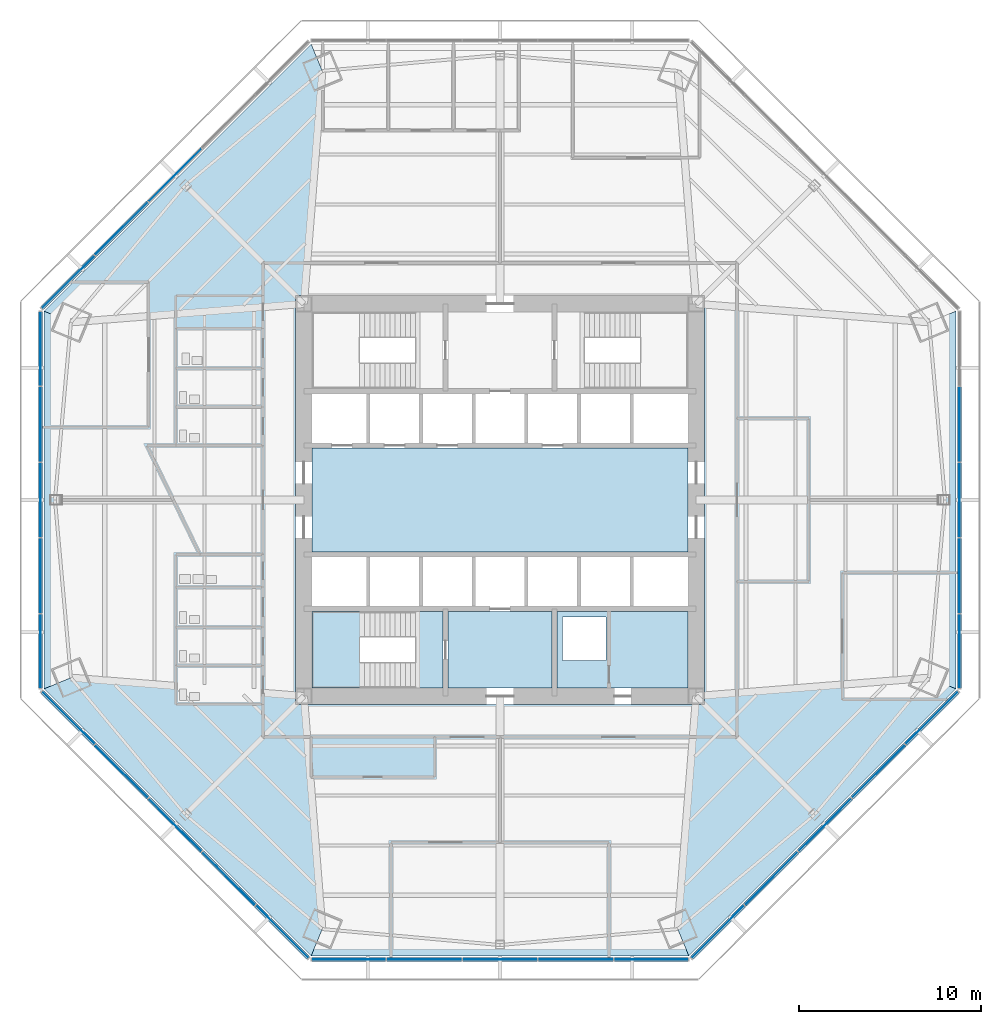
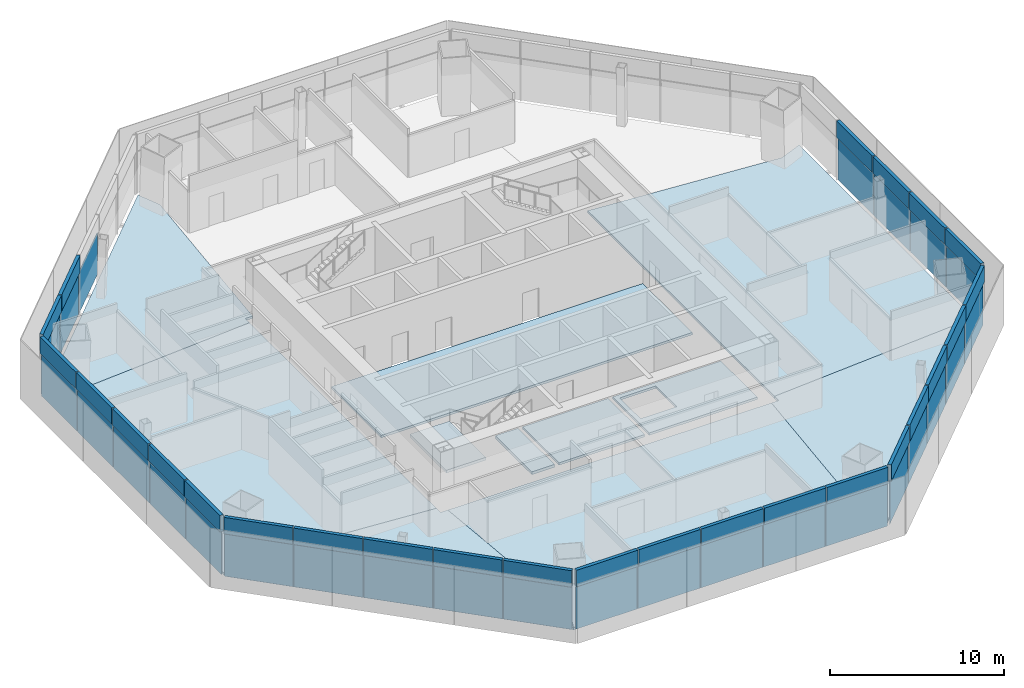
# One storey, part 8 of 16: 53 plates, 11 slabs, 7 elements without a shape of their own.
"""IFC4 building model written with IfcOpenShell, lengths in metres."""

from ifc_helpers import new_model, si_unit, direction, frame, origin, origin_2d, place, context, subcontext, project, spatial, polyline, rectangle, outline, extrude, source, transform, mapped, material, layer, layer_set, type_object, type_shapes, element, aggregate, save


model = new_model("IFC4")

# Units and contexts
model_context = context("Model", 3, precision=1e-05, world=origin(), true_north=direction((0.0, 1.0)))
body_context = subcontext(model_context, "Body", "Model", "MODEL_VIEW")
ifc_project = project(units=[si_unit("LENGTHUNIT", "METRE"), si_unit("AREAUNIT", "SQUARE_METRE"), si_unit("VOLUMEUNIT", "CUBIC_METRE"), si_unit("PLANEANGLEUNIT", "RADIAN"), si_unit("MASSUNIT", "GRAM", prefix="KILO")], contexts=[model_context])

# Site, building, storey
site_placement = place(None, origin())
site = spatial("IfcSite", under=ifc_project, at=site_placement, CompositionType="ELEMENT")
building_placement = place(site_placement, origin())
building = spatial("IfcBuilding", under=site, at=building_placement, Name="Mashrafa Tower", CompositionType="ELEMENT")
storey_placement = place(building_placement, frame((0.0, 0.0, 96.0)))
storey = spatial("IfcBuildingStorey", under=building, at=storey_placement, Name="L21", CompositionType="ELEMENT", Elevation=96.0)

# Slabs
ifc_material_1 = material(Name="Concrete C35/45", Category="concrete")
ifc_layer_1 = layer(ifc_material_1, 0.1650390625)
ifc_layer_set_1 = layer_set([ifc_layer_1], Name="Floor slab 165")
slab_type_1 = type_object("IfcSlabType", Name="Floor slab 165", PredefinedType="FLOOR", material=ifc_layer_set_1)
slab_1_placement = place(storey_placement, frame((0.0, 0.0, -0.1650390625)))
element("IfcSlab", 1, at=slab_1_placement, inside=storey, type_object=slab_type_1, Name="Floor slab L21 east bay", PredefinedType="FLOOR", context=body_context, shape_type="SweptSolid", body=[
    extrude(outline(polyline([(25.09912109375, -10.396240234375), (23.62548828125, -9.785888671875), (11.25, -10.764404296875), (11.25, 10.764404296875), (23.62548828125, 9.785888671875), (25.09912109375, 10.396240234375), (25.09912109375, -10.396240234375)])), origin(), (0.0, 0.0, 1.0), 0.1650390625),
])
slab_2_placement = place(storey_placement, frame((0.0, 0.0, -0.1650390625)))
element("IfcSlab", 2, at=slab_2_placement, inside=storey, type_object=slab_type_1, Name="Floor slab L21 north-west bay", PredefinedType="FLOOR", context=body_context, shape_type="SweptSolid", body=[
    extrude(outline(polyline([(-25.09912109375, 10.396240234375), (-10.396240234375, 25.09912109375), (-10.396240234375, 25.09912109375), (-9.785888671875, 23.62548828125), (-10.764404296875, 11.25), (-11.25, 11.25), (-11.25, 10.764404296875), (-23.62548828125, 9.785888671875), (-25.09912109375, 10.396240234375), (-25.09912109375, 10.396240234375)])), origin(), (0.0, 0.0, 1.0), 0.1650390625),
])
slab_3_placement = place(storey_placement, frame((0.0, 0.0, -0.1650390625)))
element("IfcSlab", 3, at=slab_3_placement, inside=storey, type_object=slab_type_1, Name="Floor slab L21 west bay", PredefinedType="FLOOR", context=body_context, shape_type="SweptSolid", body=[
    extrude(outline(polyline([(-25.09912109375, 10.396240234375), (-23.62548828125, 9.785888671875), (-11.25, 10.764404296875), (-11.25, -10.764404296875), (-23.62548828125, -9.785888671875), (-25.09912109375, -10.396240234375), (-25.09912109375, 10.396240234375)])), origin(), (0.0, 0.0, 1.0), 0.1650390625),
])
slab_4_placement = place(storey_placement, frame((0.0, 0.0, -0.1650390625)))
element("IfcSlab", 4, at=slab_4_placement, inside=storey, type_object=slab_type_1, Name="Floor slab L21 south-west bay", PredefinedType="FLOOR", context=body_context, shape_type="SweptSolid", body=[
    extrude(outline(polyline([(-10.396240234375, -25.09912109375), (-25.09912109375, -10.396240234375), (-25.09912109375, -10.396240234375), (-23.62548828125, -9.785888671875), (-11.25, -10.764404296875), (-11.25, -11.25), (-10.764404296875, -11.25), (-9.785888671875, -23.62548828125), (-10.396240234375, -25.09912109375), (-10.396240234375, -25.09912109375)])), origin(), (0.0, 0.0, 1.0), 0.1650390625),
])
slab_5_placement = place(storey_placement, frame((0.0, 0.0, -0.1650390625)))
element("IfcSlab", 5, at=slab_5_placement, inside=storey, type_object=slab_type_1, Name="Floor slab L21 south bay", PredefinedType="FLOOR", context=body_context, shape_type="SweptSolid", body=[
    extrude(outline(polyline([(-10.396240234375, -25.09912109375), (-9.785888671875, -23.62548828125), (-10.764404296875, -11.25), (10.764404296875, -11.25), (9.785888671875, -23.62548828125), (10.396240234375, -25.09912109375), (-10.396240234375, -25.09912109375)])), origin(), (0.0, 0.0, 1.0), 0.1650390625),
])
slab_6_placement = place(storey_placement, frame((0.0, 0.0, -0.1650390625)))
element("IfcSlab", 6, at=slab_6_placement, inside=storey, type_object=slab_type_1, Name="Floor slab L21 south-east bay", PredefinedType="FLOOR", context=body_context, shape_type="SweptSolid", body=[
    extrude(outline(polyline([(10.396240234375, -25.09912109375), (9.785888671875, -23.62548828125), (10.764404296875, -11.25), (11.25, -11.25), (11.25, -10.764404296875), (23.62548828125, -9.785888671875), (25.09912109375, -10.396240234375), (25.09912109375, -10.396240234375), (10.396240234375, -25.09912109375), (10.396240234375, -25.09912109375)])), origin(), (0.0, 0.0, 1.0), 0.1650390625),
])
slab_7_placement = place(storey_placement, frame((0.0, 0.0, -0.1650390625)))
element("IfcSlab", 7, at=slab_7_placement, inside=storey, type_object=slab_type_1, Name="Core floor lift hall L21", PredefinedType="FLOOR", context=body_context, shape_type="SweptSolid", body=[
    extrude(outline(polyline([(-10.35009765625, 2.85009765625), (10.35009765625, 2.85009765625), (10.35009765625, -2.85009765625), (-10.35009765625, -2.85009765625), (-10.35009765625, 2.85009765625)])), origin(), (0.0, 0.0, 1.0), 0.1650390625),
])
slab_8_placement = place(storey_placement, frame((0.0, 0.0, -0.1650390625)))
element("IfcSlab", 8, at=slab_8_placement, inside=storey, type_object=slab_type_1, Name="Core floor riser and electrical band L21", PredefinedType="FLOOR", context=body_context, shape_type="SweptSolid", body=[
    extrude(outline(polyline([(10.35009765625, -6.14990234375), (10.35009765625, -10.35009765625), (3.14990234375, -10.35009765625), (3.14990234375, -6.14990234375), (10.35009765625, -6.14990234375)]), holes=[polyline([(3.449951171875, -8.85009765625), (5.85009765625, -8.85009765625), (5.85009765625, -6.449951171875), (3.449951171875, -6.449951171875), (3.449951171875, -8.85009765625)])]), origin(), (0.0, 0.0, 1.0), 0.1650390625),
])
slab_9_placement = place(storey_placement, frame((0.0, 0.0, -0.1650390625)))
element("IfcSlab", 9, at=slab_9_placement, inside=storey, type_object=slab_type_1, Name="Core floor fire-fighting lobby south L21", PredefinedType="FLOOR", context=body_context, shape_type="SweptSolid", body=[
    extrude(outline(polyline([(2.85009765625, -6.14990234375), (2.85009765625, -10.35009765625), (-2.85009765625, -10.35009765625), (-2.85009765625, -6.14990234375), (2.85009765625, -6.14990234375)])), origin(), (0.0, 0.0, 1.0), 0.1650390625),
])

# Stair, slabs
ifc_material_2 = material(Name="Exit stair 1400")
stair_type = type_object("IfcStairType", Name="Exit stair 1400", PredefinedType="HALF_TURN_STAIR", material=ifc_material_2)
stair_placement = place(storey_placement, origin())
stair = element("IfcStair", 10, at=stair_placement, inside=storey, type_object=stair_type, Name="Stair S3 L21", PredefinedType="HALF_TURN_STAIR")
ifc_material_3 = material(Name="Concrete C32/40", Category="concrete")
ifc_layer_2 = layer(ifc_material_3, 0.199951171875)
ifc_layer_set_2 = layer_set([ifc_layer_2], Name="Stair landing 200")
slab_type_2 = type_object("IfcSlabType", Name="Stair landing 200", PredefinedType="LANDING", material=ifc_layer_set_2)
slab_10_placement = place(storey_placement, frame((0.0, 0.0, -0.199951171875)))
slab_10 = element("IfcSlab", 11, at=slab_10_placement, type_object=slab_type_2, Name="S3 landing 1", PredefinedType="LANDING", context=body_context, shape_type="SweptSolid", body=[
    extrude(outline(polyline([(-4.659912109375, -10.35009765625), (-3.14990234375, -10.35009765625), (-3.14990234375, -6.14990234375), (-4.659912109375, -6.14990234375), (-4.659912109375, -10.35009765625)])), origin(), (0.0, 0.0, 1.0), 0.199951171875),
])
slab_11_placement = place(storey_placement, frame((0.0, 0.0, 1.89990234375)))
slab_11 = element("IfcSlab", 12, at=slab_11_placement, type_object=slab_type_2, Name="S3 landing 2", PredefinedType="LANDING", context=body_context, shape_type="SweptSolid", body=[
    extrude(outline(polyline([(-10.35009765625, -10.35009765625), (-7.719970703125, -10.35009765625), (-7.719970703125, -6.14990234375), (-10.35009765625, -6.14990234375), (-10.35009765625, -10.35009765625)])), origin(), (0.0, 0.0, 1.0), 0.2001953125),
])
aggregate(stair, [slab_10, slab_11])

# Curtain wall, plate
ifc_material_4 = material(Name="Unitised aluminium curtain wall", Category="aluminium")
curtain_wall_type = type_object("IfcCurtainWallType", Name="Office curtain wall, zone 1 CW-A 200 deep", PredefinedType="NOTDEFINED", material=ifc_material_4)
curtain_wall_1_placement = place(storey_placement, origin())
curtain_wall_1 = element("IfcCurtainWall", 13, at=curtain_wall_1_placement, inside=storey, type_object=curtain_wall_type, Name="Office curtain wall, zone 1 L21 east", PredefinedType="NOTDEFINED")
ifc_material_5 = material(Name="Insulated double glazing, low-e, neutral", Category="glass")
ifc_layer_3 = layer(ifc_material_5, 0.028076171875)
ifc_layer_set_3 = layer_set([ifc_layer_3], Name="Vision panel CW-A 28")
plate_type_1 = type_object("IfcPlateType", Name="Vision panel CW-A 28", PredefinedType="CURTAIN_PANEL", material=ifc_layer_set_3)
shared_shape_1 = source(origin(), body_context, "Body", "SweptSolid", [
    extrude(rectangle(XDim=4.07373046875, YDim=0.028076171875, at=origin_2d()), origin(), (0.0, 0.0, 1.0), 2.9599609375),
])
plate_1_placement = place(storey_placement, frame((25.299072265625, -8.325927734375, 0.0), z_axis=(0.0, 0.0, 1.0), x_axis=(0.0, 1.0, 0.0)))
plate_1 = element("IfcPlate", 14, at=plate_1_placement, type_object=plate_type_1, Name="CW-A vision panel 1", PredefinedType="CURTAIN_PANEL", context=body_context, shape_type="MappedRepresentation", body=[
    mapped(shared_shape_1, transform((0.0, 0.0, 0.0))),
])

curtain_wall_2_placement = place(storey_placement, origin())
curtain_wall_2 = element("IfcCurtainWall", 15, at=curtain_wall_2_placement, inside=storey, type_object=curtain_wall_type, Name="Office curtain wall, zone 1 L21 north-west", PredefinedType="NOTDEFINED")
plate_2_placement = place(storey_placement, frame((-23.7763671875, 12.001708984375, 0.0), z_axis=(0.0, 0.0, 1.0), x_axis=(-0.707106781187, -0.707106781187, 0.0)))
plate_2 = element("IfcPlate", 16, at=plate_2_placement, type_object=plate_type_1, Name="CW-A vision panel 5", PredefinedType="CURTAIN_PANEL", context=body_context, shape_type="MappedRepresentation", body=[
    mapped(shared_shape_1, transform((0.0, 0.0, 0.0))),
])

# Curtain wall, plates
curtain_wall_3_placement = place(storey_placement, origin())
curtain_wall_3 = element("IfcCurtainWall", 17, at=curtain_wall_3_placement, inside=storey, type_object=curtain_wall_type, Name="Office curtain wall, zone 1 L21 west", PredefinedType="NOTDEFINED")
plate_3_placement = place(storey_placement, frame((-25.299072265625, 8.325927734375, 0.0), z_axis=(0.0, 0.0, 1.0), x_axis=(0.0, -1.0, 0.0)))
plate_3 = element("IfcPlate", 18, at=plate_3_placement, type_object=plate_type_1, Name="CW-A vision panel 1", PredefinedType="CURTAIN_PANEL", context=body_context, shape_type="MappedRepresentation", body=[
    mapped(shared_shape_1, transform((0.0, 0.0, 0.0))),
])
plate_4_placement = place(storey_placement, frame((-25.299072265625, -8.325927734375, 0.0), z_axis=(0.0, 0.0, 1.0), x_axis=(0.0, -1.0, 0.0)))
plate_4 = element("IfcPlate", 19, at=plate_4_placement, type_object=plate_type_1, Name="CW-A vision panel 5", PredefinedType="CURTAIN_PANEL", context=body_context, shape_type="MappedRepresentation", body=[
    mapped(shared_shape_1, transform((0.0, 0.0, 0.0))),
])

curtain_wall_4_placement = place(storey_placement, origin())
curtain_wall_4 = element("IfcCurtainWall", 20, at=curtain_wall_4_placement, inside=storey, type_object=curtain_wall_type, Name="Office curtain wall, zone 1 L21 south-west", PredefinedType="NOTDEFINED")
plate_5_placement = place(storey_placement, frame((-23.7763671875, -12.001708984375, 0.0), z_axis=(0.0, 0.0, 1.0), x_axis=(0.707106781187, -0.707106781187, 0.0)))
plate_5 = element("IfcPlate", 21, at=plate_5_placement, type_object=plate_type_1, Name="CW-A vision panel 1", PredefinedType="CURTAIN_PANEL", context=body_context, shape_type="MappedRepresentation", body=[
    mapped(shared_shape_1, transform((0.0, 0.0, 0.0))),
])
plate_6_placement = place(storey_placement, frame((-12.001708984375, -23.7763671875, 0.0), z_axis=(0.0, 0.0, 1.0), x_axis=(0.707106781187, -0.707106781187, 0.0)))
plate_6 = element("IfcPlate", 22, at=plate_6_placement, type_object=plate_type_1, Name="CW-A vision panel 5", PredefinedType="CURTAIN_PANEL", context=body_context, shape_type="MappedRepresentation", body=[
    mapped(shared_shape_1, transform((0.0, 0.0, 0.0))),
])

curtain_wall_5_placement = place(storey_placement, origin())
curtain_wall_5 = element("IfcCurtainWall", 23, at=curtain_wall_5_placement, inside=storey, type_object=curtain_wall_type, Name="Office curtain wall, zone 1 L21 south", PredefinedType="NOTDEFINED")
plate_7_placement = place(storey_placement, frame((-8.325927734375, -25.299072265625, 0.0), z_axis=(0.0, 0.0, 1.0), x_axis=(1.0, 0.0, 0.0)))
plate_7 = element("IfcPlate", 24, at=plate_7_placement, type_object=plate_type_1, Name="CW-A vision panel 1", PredefinedType="CURTAIN_PANEL", context=body_context, shape_type="MappedRepresentation", body=[
    mapped(shared_shape_1, transform((0.0, 0.0, 0.0))),
])
plate_8_placement = place(storey_placement, frame((8.325927734375, -25.299072265625, 0.0), z_axis=(0.0, 0.0, 1.0), x_axis=(1.0, 0.0, 0.0)))
plate_8 = element("IfcPlate", 25, at=plate_8_placement, type_object=plate_type_1, Name="CW-A vision panel 5", PredefinedType="CURTAIN_PANEL", context=body_context, shape_type="MappedRepresentation", body=[
    mapped(shared_shape_1, transform((0.0, 0.0, 0.0))),
])

curtain_wall_6_placement = place(storey_placement, origin())
curtain_wall_6 = element("IfcCurtainWall", 26, at=curtain_wall_6_placement, inside=storey, type_object=curtain_wall_type, Name="Office curtain wall, zone 1 L21 south-east", PredefinedType="NOTDEFINED")
plate_9_placement = place(storey_placement, frame((12.001708984375, -23.7763671875, 0.0), z_axis=(0.0, 0.0, 1.0), x_axis=(0.707106781187, 0.707106781187, 0.0)))
plate_9 = element("IfcPlate", 27, at=plate_9_placement, type_object=plate_type_1, Name="CW-A vision panel 1", PredefinedType="CURTAIN_PANEL", context=body_context, shape_type="MappedRepresentation", body=[
    mapped(shared_shape_1, transform((0.0, 0.0, 0.0))),
])
plate_10_placement = place(storey_placement, frame((23.7763671875, -12.001708984375, 0.0), z_axis=(0.0, 0.0, 1.0), x_axis=(0.707106781187, 0.707106781187, 0.0)))
plate_10 = element("IfcPlate", 28, at=plate_10_placement, type_object=plate_type_1, Name="CW-A vision panel 5", PredefinedType="CURTAIN_PANEL", context=body_context, shape_type="MappedRepresentation", body=[
    mapped(shared_shape_1, transform((0.0, 0.0, 0.0))),
])

# Plate
ifc_material_6 = material(Name="Insulated aluminium spandrel panel", Category="aluminium")
ifc_layer_4 = layer(ifc_material_6, 0.219970703125)
ifc_layer_set_4 = layer_set([ifc_layer_4], Name="Spandrel panel CW-A 220")
plate_type_2 = type_object("IfcPlateType", Name="Spandrel panel CW-A 220", PredefinedType="CURTAIN_PANEL", material=ifc_layer_set_4)
shared_shape_2 = source(origin(), body_context, "Body", "SweptSolid", [
    extrude(rectangle(XDim=4.07373046875, YDim=0.219970703125, at=origin_2d()), origin(), (0.0, 0.0, 1.0), 1.159912109375),
])
plate_11_placement = place(storey_placement, frame((25.299072265625, -8.325927734375, 3.0400390625), z_axis=(0.0, 0.0, 1.0), x_axis=(0.0, 1.0, 0.0)))
plate_11 = element("IfcPlate", 29, at=plate_11_placement, type_object=plate_type_2, Name="CW-A spandrel panel 1", PredefinedType="CURTAIN_PANEL", context=body_context, shape_type="MappedRepresentation", body=[
    mapped(shared_shape_2, transform((0.0, 0.0, 0.0))),
])

plate_12_placement = place(storey_placement, frame((-23.7763671875, 12.001708984375, 3.0400390625), z_axis=(0.0, 0.0, 1.0), x_axis=(-0.707106781187, -0.707106781187, 0.0)))
plate_12 = element("IfcPlate", 30, at=plate_12_placement, type_object=plate_type_2, Name="CW-A spandrel panel 5", PredefinedType="CURTAIN_PANEL", context=body_context, shape_type="MappedRepresentation", body=[
    mapped(shared_shape_2, transform((0.0, 0.0, 0.0))),
])

plate_13_placement = place(storey_placement, frame((-25.299072265625, 8.325927734375, 3.0400390625), z_axis=(0.0, 0.0, 1.0), x_axis=(0.0, -1.0, 0.0)))
plate_13 = element("IfcPlate", 31, at=plate_13_placement, type_object=plate_type_2, Name="CW-A spandrel panel 1", PredefinedType="CURTAIN_PANEL", context=body_context, shape_type="MappedRepresentation", body=[
    mapped(shared_shape_2, transform((0.0, 0.0, 0.0))),
])

plate_14_placement = place(storey_placement, frame((-25.299072265625, -8.325927734375, 3.0400390625), z_axis=(0.0, 0.0, 1.0), x_axis=(0.0, -1.0, 0.0)))
plate_14 = element("IfcPlate", 32, at=plate_14_placement, type_object=plate_type_2, Name="CW-A spandrel panel 5", PredefinedType="CURTAIN_PANEL", context=body_context, shape_type="MappedRepresentation", body=[
    mapped(shared_shape_2, transform((0.0, 0.0, 0.0))),
])

plate_15_placement = place(storey_placement, frame((-23.7763671875, -12.001708984375, 3.0400390625), z_axis=(0.0, 0.0, 1.0), x_axis=(0.707106781187, -0.707106781187, 0.0)))
plate_15 = element("IfcPlate", 33, at=plate_15_placement, type_object=plate_type_2, Name="CW-A spandrel panel 1", PredefinedType="CURTAIN_PANEL", context=body_context, shape_type="MappedRepresentation", body=[
    mapped(shared_shape_2, transform((0.0, 0.0, 0.0))),
])

plate_16_placement = place(storey_placement, frame((-12.001708984375, -23.7763671875, 3.0400390625), z_axis=(0.0, 0.0, 1.0), x_axis=(0.707106781187, -0.707106781187, 0.0)))
plate_16 = element("IfcPlate", 34, at=plate_16_placement, type_object=plate_type_2, Name="CW-A spandrel panel 5", PredefinedType="CURTAIN_PANEL", context=body_context, shape_type="MappedRepresentation", body=[
    mapped(shared_shape_2, transform((0.0, 0.0, 0.0))),
])

plate_17_placement = place(storey_placement, frame((-8.325927734375, -25.299072265625, 3.0400390625), z_axis=(0.0, 0.0, 1.0), x_axis=(1.0, 0.0, 0.0)))
plate_17 = element("IfcPlate", 35, at=plate_17_placement, type_object=plate_type_2, Name="CW-A spandrel panel 1", PredefinedType="CURTAIN_PANEL", context=body_context, shape_type="MappedRepresentation", body=[
    mapped(shared_shape_2, transform((0.0, 0.0, 0.0))),
])

plate_18_placement = place(storey_placement, frame((8.325927734375, -25.299072265625, 3.0400390625), z_axis=(0.0, 0.0, 1.0), x_axis=(1.0, 0.0, 0.0)))
plate_18 = element("IfcPlate", 36, at=plate_18_placement, type_object=plate_type_2, Name="CW-A spandrel panel 5", PredefinedType="CURTAIN_PANEL", context=body_context, shape_type="MappedRepresentation", body=[
    mapped(shared_shape_2, transform((0.0, 0.0, 0.0))),
])

plate_19_placement = place(storey_placement, frame((12.001708984375, -23.7763671875, 3.0400390625), z_axis=(0.0, 0.0, 1.0), x_axis=(0.707106781187, 0.707106781187, 0.0)))
plate_19 = element("IfcPlate", 37, at=plate_19_placement, type_object=plate_type_2, Name="CW-A spandrel panel 1", PredefinedType="CURTAIN_PANEL", context=body_context, shape_type="MappedRepresentation", body=[
    mapped(shared_shape_2, transform((0.0, 0.0, 0.0))),
])

plate_20_placement = place(storey_placement, frame((23.7763671875, -12.001708984375, 3.0400390625), z_axis=(0.0, 0.0, 1.0), x_axis=(0.707106781187, 0.707106781187, 0.0)))
plate_20 = element("IfcPlate", 38, at=plate_20_placement, type_object=plate_type_2, Name="CW-A spandrel panel 5", PredefinedType="CURTAIN_PANEL", context=body_context, shape_type="MappedRepresentation", body=[
    mapped(shared_shape_2, transform((0.0, 0.0, 0.0))),
])

shared_shape_3 = source(origin(), body_context, "Body", "SweptSolid", [
    extrude(rectangle(XDim=4.106201171875, YDim=0.028076171875, at=origin_2d()), origin(), (0.0, 0.0, 1.0), 2.9599609375),
])
type_shapes(plate_type_1, [shared_shape_1, shared_shape_3])
plate_21_placement = place(storey_placement, frame((25.299072265625, -4.171142578125, 0.0), z_axis=(0.0, 0.0, 1.0), x_axis=(0.0, 1.0, 0.0)))
plate_21 = element("IfcPlate", 39, at=plate_21_placement, type_object=plate_type_1, Name="CW-A vision panel 2", PredefinedType="CURTAIN_PANEL", context=body_context, shape_type="MappedRepresentation", body=[
    mapped(shared_shape_3, transform((0.0, 0.0, 0.0))),
])

plate_22_placement = place(storey_placement, frame((25.299072265625, 0.0, 0.0), z_axis=(0.0, 0.0, 1.0), x_axis=(0.0, 1.0, 0.0)))
plate_22 = element("IfcPlate", 40, at=plate_22_placement, type_object=plate_type_1, Name="CW-A vision panel 3", PredefinedType="CURTAIN_PANEL", context=body_context, shape_type="MappedRepresentation", body=[
    mapped(shared_shape_3, transform((0.0, 0.0, 0.0))),
])

plate_23_placement = place(storey_placement, frame((25.299072265625, 4.171142578125, 0.0), z_axis=(0.0, 0.0, 1.0), x_axis=(0.0, 1.0, 0.0)))
plate_23 = element("IfcPlate", 41, at=plate_23_placement, type_object=plate_type_1, Name="CW-A vision panel 4", PredefinedType="CURTAIN_PANEL", context=body_context, shape_type="MappedRepresentation", body=[
    mapped(shared_shape_3, transform((0.0, 0.0, 0.0))),
])

plate_24_placement = place(storey_placement, frame((-17.88916015625, 17.88916015625, 0.0), z_axis=(0.0, 0.0, 1.0), x_axis=(-0.707106781187, -0.707106781187, 0.0)))
plate_24 = element("IfcPlate", 42, at=plate_24_placement, type_object=plate_type_1, Name="CW-A vision panel 3", PredefinedType="CURTAIN_PANEL", context=body_context, shape_type="MappedRepresentation", body=[
    mapped(shared_shape_3, transform((0.0, 0.0, 0.0))),
])

plate_25_placement = place(storey_placement, frame((-20.838623046875, 14.939697265625, 0.0), z_axis=(0.0, 0.0, 1.0), x_axis=(-0.707106781187, -0.707106781187, 0.0)))
plate_25 = element("IfcPlate", 43, at=plate_25_placement, type_object=plate_type_1, Name="CW-A vision panel 4", PredefinedType="CURTAIN_PANEL", context=body_context, shape_type="MappedRepresentation", body=[
    mapped(shared_shape_3, transform((0.0, 0.0, 0.0))),
])

plate_26_placement = place(storey_placement, frame((-25.299072265625, 4.171142578125, 0.0), z_axis=(0.0, 0.0, 1.0), x_axis=(0.0, -1.0, 0.0)))
plate_26 = element("IfcPlate", 44, at=plate_26_placement, type_object=plate_type_1, Name="CW-A vision panel 2", PredefinedType="CURTAIN_PANEL", context=body_context, shape_type="MappedRepresentation", body=[
    mapped(shared_shape_3, transform((0.0, 0.0, 0.0))),
])

plate_27_placement = place(storey_placement, frame((-25.299072265625, 0.0, 0.0), z_axis=(0.0, 0.0, 1.0), x_axis=(0.0, -1.0, 0.0)))
plate_27 = element("IfcPlate", 45, at=plate_27_placement, type_object=plate_type_1, Name="CW-A vision panel 3", PredefinedType="CURTAIN_PANEL", context=body_context, shape_type="MappedRepresentation", body=[
    mapped(shared_shape_3, transform((0.0, 0.0, 0.0))),
])

plate_28_placement = place(storey_placement, frame((-25.299072265625, -4.171142578125, 0.0), z_axis=(0.0, 0.0, 1.0), x_axis=(0.0, -1.0, 0.0)))
plate_28 = element("IfcPlate", 46, at=plate_28_placement, type_object=plate_type_1, Name="CW-A vision panel 4", PredefinedType="CURTAIN_PANEL", context=body_context, shape_type="MappedRepresentation", body=[
    mapped(shared_shape_3, transform((0.0, 0.0, 0.0))),
])

plate_29_placement = place(storey_placement, frame((-20.838623046875, -14.939697265625, 0.0), z_axis=(0.0, 0.0, 1.0), x_axis=(0.707106781187, -0.707106781187, 0.0)))
plate_29 = element("IfcPlate", 47, at=plate_29_placement, type_object=plate_type_1, Name="CW-A vision panel 2", PredefinedType="CURTAIN_PANEL", context=body_context, shape_type="MappedRepresentation", body=[
    mapped(shared_shape_3, transform((0.0, 0.0, 0.0))),
])

plate_30_placement = place(storey_placement, frame((-17.88916015625, -17.88916015625, 0.0), z_axis=(0.0, 0.0, 1.0), x_axis=(0.707106781187, -0.707106781187, 0.0)))
plate_30 = element("IfcPlate", 48, at=plate_30_placement, type_object=plate_type_1, Name="CW-A vision panel 3", PredefinedType="CURTAIN_PANEL", context=body_context, shape_type="MappedRepresentation", body=[
    mapped(shared_shape_3, transform((0.0, 0.0, 0.0))),
])

plate_31_placement = place(storey_placement, frame((-14.939697265625, -20.838623046875, 0.0), z_axis=(0.0, 0.0, 1.0), x_axis=(0.707106781187, -0.707106781187, 0.0)))
plate_31 = element("IfcPlate", 49, at=plate_31_placement, type_object=plate_type_1, Name="CW-A vision panel 4", PredefinedType="CURTAIN_PANEL", context=body_context, shape_type="MappedRepresentation", body=[
    mapped(shared_shape_3, transform((0.0, 0.0, 0.0))),
])

plate_32_placement = place(storey_placement, frame((-4.171142578125, -25.299072265625, 0.0), z_axis=(0.0, 0.0, 1.0), x_axis=(1.0, 0.0, 0.0)))
plate_32 = element("IfcPlate", 50, at=plate_32_placement, type_object=plate_type_1, Name="CW-A vision panel 2", PredefinedType="CURTAIN_PANEL", context=body_context, shape_type="MappedRepresentation", body=[
    mapped(shared_shape_3, transform((0.0, 0.0, 0.0))),
])

plate_33_placement = place(storey_placement, frame((0.0, -25.299072265625, 0.0), z_axis=(0.0, 0.0, 1.0), x_axis=(1.0, 0.0, 0.0)))
plate_33 = element("IfcPlate", 51, at=plate_33_placement, type_object=plate_type_1, Name="CW-A vision panel 3", PredefinedType="CURTAIN_PANEL", context=body_context, shape_type="MappedRepresentation", body=[
    mapped(shared_shape_3, transform((0.0, 0.0, 0.0))),
])

plate_34_placement = place(storey_placement, frame((4.171142578125, -25.299072265625, 0.0), z_axis=(0.0, 0.0, 1.0), x_axis=(1.0, 0.0, 0.0)))
plate_34 = element("IfcPlate", 52, at=plate_34_placement, type_object=plate_type_1, Name="CW-A vision panel 4", PredefinedType="CURTAIN_PANEL", context=body_context, shape_type="MappedRepresentation", body=[
    mapped(shared_shape_3, transform((0.0, 0.0, 0.0))),
])

plate_35_placement = place(storey_placement, frame((14.939697265625, -20.838623046875, 0.0), z_axis=(0.0, 0.0, 1.0), x_axis=(0.707106781187, 0.707106781187, 0.0)))
plate_35 = element("IfcPlate", 53, at=plate_35_placement, type_object=plate_type_1, Name="CW-A vision panel 2", PredefinedType="CURTAIN_PANEL", context=body_context, shape_type="MappedRepresentation", body=[
    mapped(shared_shape_3, transform((0.0, 0.0, 0.0))),
])

plate_36_placement = place(storey_placement, frame((17.88916015625, -17.88916015625, 0.0), z_axis=(0.0, 0.0, 1.0), x_axis=(0.707106781187, 0.707106781187, 0.0)))
plate_36 = element("IfcPlate", 54, at=plate_36_placement, type_object=plate_type_1, Name="CW-A vision panel 3", PredefinedType="CURTAIN_PANEL", context=body_context, shape_type="MappedRepresentation", body=[
    mapped(shared_shape_3, transform((0.0, 0.0, 0.0))),
])

plate_37_placement = place(storey_placement, frame((20.838623046875, -14.939697265625, 0.0), z_axis=(0.0, 0.0, 1.0), x_axis=(0.707106781187, 0.707106781187, 0.0)))
plate_37 = element("IfcPlate", 55, at=plate_37_placement, type_object=plate_type_1, Name="CW-A vision panel 4", PredefinedType="CURTAIN_PANEL", context=body_context, shape_type="MappedRepresentation", body=[
    mapped(shared_shape_3, transform((0.0, 0.0, 0.0))),
])

shared_shape_4 = source(origin(), body_context, "Body", "SweptSolid", [
    extrude(rectangle(XDim=4.106201171875, YDim=0.219970703125, at=origin_2d()), origin(), (0.0, 0.0, 1.0), 1.159912109375),
])
type_shapes(plate_type_2, [shared_shape_2, shared_shape_4])
plate_38_placement = place(storey_placement, frame((25.299072265625, -4.171142578125, 3.0400390625), z_axis=(0.0, 0.0, 1.0), x_axis=(0.0, 1.0, 0.0)))
plate_38 = element("IfcPlate", 56, at=plate_38_placement, type_object=plate_type_2, Name="CW-A spandrel panel 2", PredefinedType="CURTAIN_PANEL", context=body_context, shape_type="MappedRepresentation", body=[
    mapped(shared_shape_4, transform((0.0, 0.0, 0.0))),
])

plate_39_placement = place(storey_placement, frame((25.299072265625, 0.0, 3.0400390625), z_axis=(0.0, 0.0, 1.0), x_axis=(0.0, 1.0, 0.0)))
plate_39 = element("IfcPlate", 57, at=plate_39_placement, type_object=plate_type_2, Name="CW-A spandrel panel 3", PredefinedType="CURTAIN_PANEL", context=body_context, shape_type="MappedRepresentation", body=[
    mapped(shared_shape_4, transform((0.0, 0.0, 0.0))),
])

plate_40_placement = place(storey_placement, frame((25.299072265625, 4.171142578125, 3.0400390625), z_axis=(0.0, 0.0, 1.0), x_axis=(0.0, 1.0, 0.0)))
plate_40 = element("IfcPlate", 58, at=plate_40_placement, type_object=plate_type_2, Name="CW-A spandrel panel 4", PredefinedType="CURTAIN_PANEL", context=body_context, shape_type="MappedRepresentation", body=[
    mapped(shared_shape_4, transform((0.0, 0.0, 0.0))),
])

aggregate(curtain_wall_1, [plate_1, plate_11, plate_21, plate_38, plate_22, plate_39, plate_23, plate_40])

plate_41_placement = place(storey_placement, frame((-20.838623046875, 14.939697265625, 3.0400390625), z_axis=(0.0, 0.0, 1.0), x_axis=(-0.707106781187, -0.707106781187, 0.0)))
plate_41 = element("IfcPlate", 59, at=plate_41_placement, type_object=plate_type_2, Name="CW-A spandrel panel 4", PredefinedType="CURTAIN_PANEL", context=body_context, shape_type="MappedRepresentation", body=[
    mapped(shared_shape_4, transform((0.0, 0.0, 0.0))),
])

aggregate(curtain_wall_2, [plate_24, plate_25, plate_41, plate_2, plate_12])

plate_42_placement = place(storey_placement, frame((-25.299072265625, 4.171142578125, 3.0400390625), z_axis=(0.0, 0.0, 1.0), x_axis=(0.0, -1.0, 0.0)))
plate_42 = element("IfcPlate", 60, at=plate_42_placement, type_object=plate_type_2, Name="CW-A spandrel panel 2", PredefinedType="CURTAIN_PANEL", context=body_context, shape_type="MappedRepresentation", body=[
    mapped(shared_shape_4, transform((0.0, 0.0, 0.0))),
])

plate_43_placement = place(storey_placement, frame((-25.299072265625, 0.0, 3.0400390625), z_axis=(0.0, 0.0, 1.0), x_axis=(0.0, -1.0, 0.0)))
plate_43 = element("IfcPlate", 61, at=plate_43_placement, type_object=plate_type_2, Name="CW-A spandrel panel 3", PredefinedType="CURTAIN_PANEL", context=body_context, shape_type="MappedRepresentation", body=[
    mapped(shared_shape_4, transform((0.0, 0.0, 0.0))),
])

plate_44_placement = place(storey_placement, frame((-25.299072265625, -4.171142578125, 3.0400390625), z_axis=(0.0, 0.0, 1.0), x_axis=(0.0, -1.0, 0.0)))
plate_44 = element("IfcPlate", 62, at=plate_44_placement, type_object=plate_type_2, Name="CW-A spandrel panel 4", PredefinedType="CURTAIN_PANEL", context=body_context, shape_type="MappedRepresentation", body=[
    mapped(shared_shape_4, transform((0.0, 0.0, 0.0))),
])

aggregate(curtain_wall_3, [plate_3, plate_13, plate_26, plate_42, plate_27, plate_43, plate_28, plate_44, plate_4, plate_14])

plate_45_placement = place(storey_placement, frame((-20.838623046875, -14.939697265625, 3.0400390625), z_axis=(0.0, 0.0, 1.0), x_axis=(0.707106781187, -0.707106781187, 0.0)))
plate_45 = element("IfcPlate", 63, at=plate_45_placement, type_object=plate_type_2, Name="CW-A spandrel panel 2", PredefinedType="CURTAIN_PANEL", context=body_context, shape_type="MappedRepresentation", body=[
    mapped(shared_shape_4, transform((0.0, 0.0, 0.0))),
])

plate_46_placement = place(storey_placement, frame((-17.88916015625, -17.88916015625, 3.0400390625), z_axis=(0.0, 0.0, 1.0), x_axis=(0.707106781187, -0.707106781187, 0.0)))
plate_46 = element("IfcPlate", 64, at=plate_46_placement, type_object=plate_type_2, Name="CW-A spandrel panel 3", PredefinedType="CURTAIN_PANEL", context=body_context, shape_type="MappedRepresentation", body=[
    mapped(shared_shape_4, transform((0.0, 0.0, 0.0))),
])

plate_47_placement = place(storey_placement, frame((-14.939697265625, -20.838623046875, 3.0400390625), z_axis=(0.0, 0.0, 1.0), x_axis=(0.707106781187, -0.707106781187, 0.0)))
plate_47 = element("IfcPlate", 65, at=plate_47_placement, type_object=plate_type_2, Name="CW-A spandrel panel 4", PredefinedType="CURTAIN_PANEL", context=body_context, shape_type="MappedRepresentation", body=[
    mapped(shared_shape_4, transform((0.0, 0.0, 0.0))),
])

aggregate(curtain_wall_4, [plate_5, plate_15, plate_29, plate_45, plate_30, plate_46, plate_31, plate_47, plate_6, plate_16])

plate_48_placement = place(storey_placement, frame((-4.171142578125, -25.299072265625, 3.0400390625), z_axis=(0.0, 0.0, 1.0), x_axis=(1.0, 0.0, 0.0)))
plate_48 = element("IfcPlate", 66, at=plate_48_placement, type_object=plate_type_2, Name="CW-A spandrel panel 2", PredefinedType="CURTAIN_PANEL", context=body_context, shape_type="MappedRepresentation", body=[
    mapped(shared_shape_4, transform((0.0, 0.0, 0.0))),
])

plate_49_placement = place(storey_placement, frame((0.0, -25.299072265625, 3.0400390625), z_axis=(0.0, 0.0, 1.0), x_axis=(1.0, 0.0, 0.0)))
plate_49 = element("IfcPlate", 67, at=plate_49_placement, type_object=plate_type_2, Name="CW-A spandrel panel 3", PredefinedType="CURTAIN_PANEL", context=body_context, shape_type="MappedRepresentation", body=[
    mapped(shared_shape_4, transform((0.0, 0.0, 0.0))),
])

plate_50_placement = place(storey_placement, frame((4.171142578125, -25.299072265625, 3.0400390625), z_axis=(0.0, 0.0, 1.0), x_axis=(1.0, 0.0, 0.0)))
plate_50 = element("IfcPlate", 68, at=plate_50_placement, type_object=plate_type_2, Name="CW-A spandrel panel 4", PredefinedType="CURTAIN_PANEL", context=body_context, shape_type="MappedRepresentation", body=[
    mapped(shared_shape_4, transform((0.0, 0.0, 0.0))),
])

aggregate(curtain_wall_5, [plate_7, plate_17, plate_32, plate_48, plate_33, plate_49, plate_34, plate_50, plate_8, plate_18])

plate_51_placement = place(storey_placement, frame((14.939697265625, -20.838623046875, 3.0400390625), z_axis=(0.0, 0.0, 1.0), x_axis=(0.707106781187, 0.707106781187, 0.0)))
plate_51 = element("IfcPlate", 69, at=plate_51_placement, type_object=plate_type_2, Name="CW-A spandrel panel 2", PredefinedType="CURTAIN_PANEL", context=body_context, shape_type="MappedRepresentation", body=[
    mapped(shared_shape_4, transform((0.0, 0.0, 0.0))),
])

plate_52_placement = place(storey_placement, frame((17.88916015625, -17.88916015625, 3.0400390625), z_axis=(0.0, 0.0, 1.0), x_axis=(0.707106781187, 0.707106781187, 0.0)))
plate_52 = element("IfcPlate", 70, at=plate_52_placement, type_object=plate_type_2, Name="CW-A spandrel panel 3", PredefinedType="CURTAIN_PANEL", context=body_context, shape_type="MappedRepresentation", body=[
    mapped(shared_shape_4, transform((0.0, 0.0, 0.0))),
])

plate_53_placement = place(storey_placement, frame((20.838623046875, -14.939697265625, 3.0400390625), z_axis=(0.0, 0.0, 1.0), x_axis=(0.707106781187, 0.707106781187, 0.0)))
plate_53 = element("IfcPlate", 71, at=plate_53_placement, type_object=plate_type_2, Name="CW-A spandrel panel 4", PredefinedType="CURTAIN_PANEL", context=body_context, shape_type="MappedRepresentation", body=[
    mapped(shared_shape_4, transform((0.0, 0.0, 0.0))),
])

aggregate(curtain_wall_6, [plate_9, plate_19, plate_35, plate_51, plate_36, plate_52, plate_37, plate_53, plate_10, plate_20])

save(model, "model.ifc")
